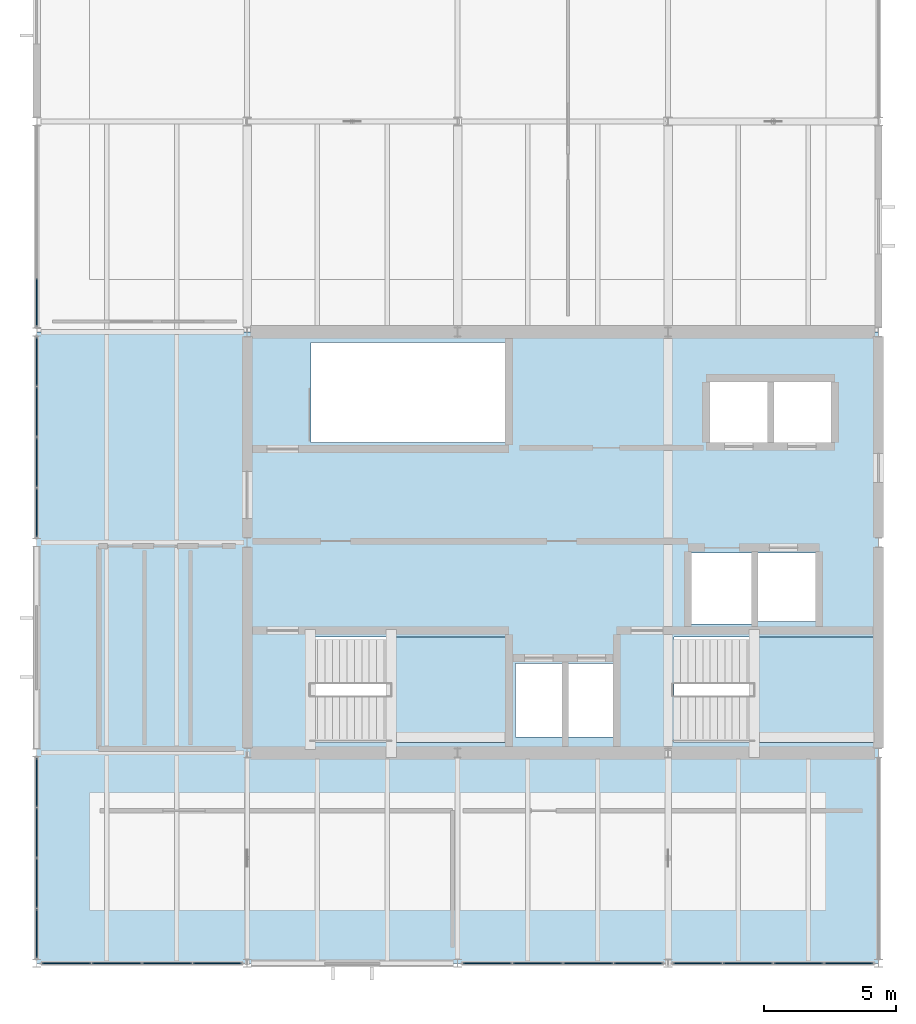
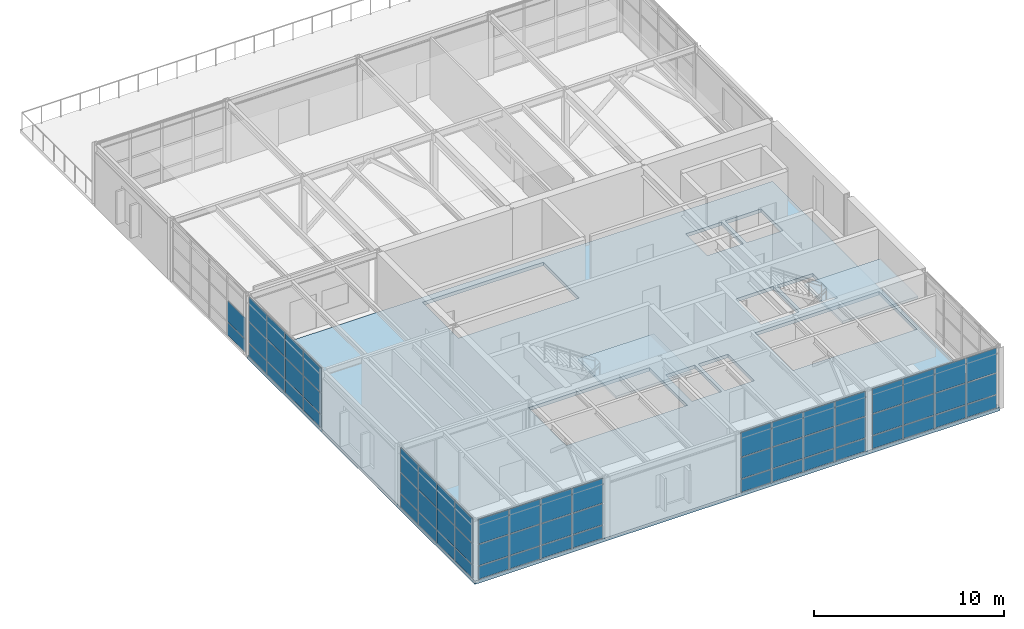
# One storey, part 11 of 15: 62 plates, 3 slabs, 8 elements without a shape of their own.
"""IFC4 building model written with IfcOpenShell, lengths in metres."""

from ifc_helpers import new_model, si_unit, direction, frame, origin, origin_2d, place, context, subcontext, project, spatial, polyline, rectangle, outline, extrude, material, layer, layer_set, type_object, element, aggregate, save


model = new_model("IFC4")

# Units and contexts
model_context = context("Model", 3, precision=1e-05, world=origin(), true_north=direction((0.0, 1.0)))
body_context = subcontext(model_context, "Body", "Model", "MODEL_VIEW")
ifc_project = project(units=[si_unit("LENGTHUNIT", "METRE"), si_unit("AREAUNIT", "SQUARE_METRE"), si_unit("VOLUMEUNIT", "CUBIC_METRE"), si_unit("PLANEANGLEUNIT", "RADIAN"), si_unit("MASSUNIT", "GRAM", prefix="KILO")], contexts=[model_context])

# Site, building, storey
site_placement = place(None, origin())
site = spatial("IfcSite", under=ifc_project, at=site_placement, CompositionType="ELEMENT")
building_placement = place(site_placement, origin())
building = spatial("IfcBuilding", under=site, at=building_placement, Name="Varnela Railside Interchange", CompositionType="ELEMENT")
storey_placement = place(building_placement, frame((0.0, 0.0, 32.199951171875)))
storey = spatial("IfcBuildingStorey", under=building, at=storey_placement, Name="L07", CompositionType="ELEMENT", Elevation=32.199951171875)

# Curtain wall, plates
ifc_material_1 = material(Name="Aluminium 6063-T6", Category="aluminium")
ifc_layer_1 = layer(ifc_material_1, 0.035888671875)
ifc_layer_set_1 = layer_set([ifc_layer_1], Name="Aluminium 6063-T6")
curtain_wall_type = type_object("IfcCurtainWallType", Name="Operations Wing Facade Curtain Wall CW-03", PredefinedType="USERDEFINED", material=ifc_layer_set_1)
curtain_wall_1_placement = place(storey_placement, origin())
curtain_wall_1 = element("IfcCurtainWall", 1, at=curtain_wall_1_placement, inside=storey, type_object=curtain_wall_type, Name="Curtain Wall CW-03 (L07) (CW-149)", ObjectType="CURTAIN WALL", PredefinedType="USERDEFINED")
ifc_material_2 = material(Name="Glass laminated double", Category="glass")
ifc_layer_2 = layer(ifc_material_2, 0.0400390625)
ifc_layer_set_2 = layer_set([ifc_layer_2], Name="Glass laminated double")
plate_type = type_object("IfcPlateType", Name="Acoustic Laminated Vision GL-03", PredefinedType="CURTAIN_PANEL", material=ifc_layer_set_2)
plate_1_placement = place(storey_placement, frame((34.86865234375, 46.0, 0.06005859375), z_axis=(0.0, 0.0, 1.0), x_axis=(-1.0, 0.0, 0.0)))
plate_1 = element("IfcPlate", 2, at=plate_1_placement, type_object=plate_type, Name="CW-03 panel 1.1", PredefinedType="CURTAIN_PANEL", context=body_context, shape_type="SweptSolid", body=[
    extrude(rectangle(XDim=1.83251953125, YDim=0.0400390625, at=origin_2d()), origin(), (0.0, 0.0, 1.0), 0.81005859375),
])
plate_2_placement = place(storey_placement, frame((34.86865234375, 46.0, 0.929931640625), z_axis=(0.0, 0.0, 1.0), x_axis=(-1.0, 0.0, 0.0)))
plate_2 = element("IfcPlate", 3, at=plate_2_placement, type_object=plate_type, Name="CW-03 panel 1.2", PredefinedType="CURTAIN_PANEL", context=body_context, shape_type="SweptSolid", body=[
    extrude(rectangle(XDim=1.83251953125, YDim=0.0400390625, at=origin_2d()), origin(), (0.0, 0.0, 1.0), 1.3369140625),
])
plate_3_placement = place(storey_placement, frame((34.86865234375, 46.0, 2.326904296875), z_axis=(0.0, 0.0, 1.0), x_axis=(-1.0, 0.0, 0.0)))
plate_3 = element("IfcPlate", 4, at=plate_3_placement, type_object=plate_type, Name="CW-03 panel 1.3", PredefinedType="CURTAIN_PANEL", context=body_context, shape_type="SweptSolid", body=[
    extrude(rectangle(XDim=1.83251953125, YDim=0.0400390625, at=origin_2d()), origin(), (0.0, 0.0, 1.0), 1.5732421875),
])
plate_4_placement = place(storey_placement, frame((32.961181640625, 46.0, 0.06005859375), z_axis=(0.0, 0.0, 1.0), x_axis=(-1.0, 0.0, 0.0)))
plate_4 = element("IfcPlate", 5, at=plate_4_placement, type_object=plate_type, Name="CW-03 panel 2.1", PredefinedType="CURTAIN_PANEL", context=body_context, shape_type="SweptSolid", body=[
    extrude(rectangle(XDim=1.862548828125, YDim=0.0400390625, at=origin_2d()), origin(), (0.0, 0.0, 1.0), 0.81005859375),
])
plate_5_placement = place(storey_placement, frame((32.961181640625, 46.0, 0.929931640625), z_axis=(0.0, 0.0, 1.0), x_axis=(-1.0, 0.0, 0.0)))
plate_5 = element("IfcPlate", 6, at=plate_5_placement, type_object=plate_type, Name="CW-03 panel 2.2", PredefinedType="CURTAIN_PANEL", context=body_context, shape_type="SweptSolid", body=[
    extrude(rectangle(XDim=1.862548828125, YDim=0.0400390625, at=origin_2d()), origin(), (0.0, 0.0, 1.0), 1.3369140625),
])
plate_6_placement = place(storey_placement, frame((32.961181640625, 46.0, 2.326904296875), z_axis=(0.0, 0.0, 1.0), x_axis=(-1.0, 0.0, 0.0)))
plate_6 = element("IfcPlate", 7, at=plate_6_placement, type_object=plate_type, Name="CW-03 panel 2.3", PredefinedType="CURTAIN_PANEL", context=body_context, shape_type="SweptSolid", body=[
    extrude(rectangle(XDim=1.862548828125, YDim=0.0400390625, at=origin_2d()), origin(), (0.0, 0.0, 1.0), 1.5732421875),
])
plate_7_placement = place(storey_placement, frame((31.038818359375, 46.0, 0.06005859375), z_axis=(0.0, 0.0, 1.0), x_axis=(-1.0, 0.0, 0.0)))
plate_7 = element("IfcPlate", 8, at=plate_7_placement, type_object=plate_type, Name="CW-03 panel 3.1", PredefinedType="CURTAIN_PANEL", context=body_context, shape_type="SweptSolid", body=[
    extrude(rectangle(XDim=1.862548828125, YDim=0.0400390625, at=origin_2d()), origin(), (0.0, 0.0, 1.0), 0.81005859375),
])
plate_8_placement = place(storey_placement, frame((31.038818359375, 46.0, 0.929931640625), z_axis=(0.0, 0.0, 1.0), x_axis=(-1.0, 0.0, 0.0)))
plate_8 = element("IfcPlate", 9, at=plate_8_placement, type_object=plate_type, Name="CW-03 panel 3.2", PredefinedType="CURTAIN_PANEL", context=body_context, shape_type="SweptSolid", body=[
    extrude(rectangle(XDim=1.862548828125, YDim=0.0400390625, at=origin_2d()), origin(), (0.0, 0.0, 1.0), 1.3369140625),
])
plate_9_placement = place(storey_placement, frame((31.038818359375, 46.0, 2.326904296875), z_axis=(0.0, 0.0, 1.0), x_axis=(-1.0, 0.0, 0.0)))
plate_9 = element("IfcPlate", 10, at=plate_9_placement, type_object=plate_type, Name="CW-03 panel 3.3", PredefinedType="CURTAIN_PANEL", context=body_context, shape_type="SweptSolid", body=[
    extrude(rectangle(XDim=1.862548828125, YDim=0.0400390625, at=origin_2d()), origin(), (0.0, 0.0, 1.0), 1.5732421875),
])
plate_10_placement = place(storey_placement, frame((29.13134765625, 46.0, 0.06005859375), z_axis=(0.0, 0.0, 1.0), x_axis=(-1.0, 0.0, 0.0)))
plate_10 = element("IfcPlate", 11, at=plate_10_placement, type_object=plate_type, Name="CW-03 panel 4.1", PredefinedType="CURTAIN_PANEL", context=body_context, shape_type="SweptSolid", body=[
    extrude(rectangle(XDim=1.83251953125, YDim=0.0400390625, at=origin_2d()), origin(), (0.0, 0.0, 1.0), 0.81005859375),
])
plate_11_placement = place(storey_placement, frame((29.13134765625, 46.0, 0.929931640625), z_axis=(0.0, 0.0, 1.0), x_axis=(-1.0, 0.0, 0.0)))
plate_11 = element("IfcPlate", 12, at=plate_11_placement, type_object=plate_type, Name="CW-03 panel 4.2", PredefinedType="CURTAIN_PANEL", context=body_context, shape_type="SweptSolid", body=[
    extrude(rectangle(XDim=1.83251953125, YDim=0.0400390625, at=origin_2d()), origin(), (0.0, 0.0, 1.0), 1.3369140625),
])
plate_12_placement = place(storey_placement, frame((29.13134765625, 46.0, 2.326904296875), z_axis=(0.0, 0.0, 1.0), x_axis=(-1.0, 0.0, 0.0)))
plate_12 = element("IfcPlate", 13, at=plate_12_placement, type_object=plate_type, Name="CW-03 panel 4.3", PredefinedType="CURTAIN_PANEL", context=body_context, shape_type="SweptSolid", body=[
    extrude(rectangle(XDim=1.83251953125, YDim=0.0400390625, at=origin_2d()), origin(), (0.0, 0.0, 1.0), 1.5732421875),
])
aggregate(curtain_wall_1, [plate_1, plate_2, plate_3, plate_4, plate_5, plate_6, plate_7, plate_8, plate_9, plate_10, plate_11, plate_12])

curtain_wall_2_placement = place(storey_placement, origin())
curtain_wall_2 = element("IfcCurtainWall", 14, at=curtain_wall_2_placement, inside=storey, type_object=curtain_wall_type, Name="Curtain Wall CW-03 (L07) (CW-154)", ObjectType="CURTAIN WALL", PredefinedType="USERDEFINED")
plate_13_placement = place(storey_placement, frame((26.86865234375, 46.0, 0.06005859375), z_axis=(0.0, 0.0, 1.0), x_axis=(-1.0, 0.0, 0.0)))
plate_13 = element("IfcPlate", 15, at=plate_13_placement, type_object=plate_type, Name="CW-03 panel 1.1", PredefinedType="CURTAIN_PANEL", context=body_context, shape_type="SweptSolid", body=[
    extrude(rectangle(XDim=1.83251953125, YDim=0.0400390625, at=origin_2d()), origin(), (0.0, 0.0, 1.0), 0.81005859375),
])
plate_14_placement = place(storey_placement, frame((26.86865234375, 46.0, 0.929931640625), z_axis=(0.0, 0.0, 1.0), x_axis=(-1.0, 0.0, 0.0)))
plate_14 = element("IfcPlate", 16, at=plate_14_placement, type_object=plate_type, Name="CW-03 panel 1.2", PredefinedType="CURTAIN_PANEL", context=body_context, shape_type="SweptSolid", body=[
    extrude(rectangle(XDim=1.83251953125, YDim=0.0400390625, at=origin_2d()), origin(), (0.0, 0.0, 1.0), 1.3369140625),
])
plate_15_placement = place(storey_placement, frame((26.86865234375, 46.0, 2.326904296875), z_axis=(0.0, 0.0, 1.0), x_axis=(-1.0, 0.0, 0.0)))
plate_15 = element("IfcPlate", 17, at=plate_15_placement, type_object=plate_type, Name="CW-03 panel 1.3", PredefinedType="CURTAIN_PANEL", context=body_context, shape_type="SweptSolid", body=[
    extrude(rectangle(XDim=1.83251953125, YDim=0.0400390625, at=origin_2d()), origin(), (0.0, 0.0, 1.0), 1.5732421875),
])
plate_16_placement = place(storey_placement, frame((24.961181640625, 46.0, 0.06005859375), z_axis=(0.0, 0.0, 1.0), x_axis=(-1.0, 0.0, 0.0)))
plate_16 = element("IfcPlate", 18, at=plate_16_placement, type_object=plate_type, Name="CW-03 panel 2.1", PredefinedType="CURTAIN_PANEL", context=body_context, shape_type="SweptSolid", body=[
    extrude(rectangle(XDim=1.862548828125, YDim=0.0400390625, at=origin_2d()), origin(), (0.0, 0.0, 1.0), 0.81005859375),
])
plate_17_placement = place(storey_placement, frame((24.961181640625, 46.0, 0.929931640625), z_axis=(0.0, 0.0, 1.0), x_axis=(-1.0, 0.0, 0.0)))
plate_17 = element("IfcPlate", 19, at=plate_17_placement, type_object=plate_type, Name="CW-03 panel 2.2", PredefinedType="CURTAIN_PANEL", context=body_context, shape_type="SweptSolid", body=[
    extrude(rectangle(XDim=1.862548828125, YDim=0.0400390625, at=origin_2d()), origin(), (0.0, 0.0, 1.0), 1.3369140625),
])
plate_18_placement = place(storey_placement, frame((24.961181640625, 46.0, 2.326904296875), z_axis=(0.0, 0.0, 1.0), x_axis=(-1.0, 0.0, 0.0)))
plate_18 = element("IfcPlate", 20, at=plate_18_placement, type_object=plate_type, Name="CW-03 panel 2.3", PredefinedType="CURTAIN_PANEL", context=body_context, shape_type="SweptSolid", body=[
    extrude(rectangle(XDim=1.862548828125, YDim=0.0400390625, at=origin_2d()), origin(), (0.0, 0.0, 1.0), 1.5732421875),
])
plate_19_placement = place(storey_placement, frame((23.038818359375, 46.0, 0.06005859375), z_axis=(0.0, 0.0, 1.0), x_axis=(-1.0, 0.0, 0.0)))
plate_19 = element("IfcPlate", 21, at=plate_19_placement, type_object=plate_type, Name="CW-03 panel 3.1", PredefinedType="CURTAIN_PANEL", context=body_context, shape_type="SweptSolid", body=[
    extrude(rectangle(XDim=1.862548828125, YDim=0.0400390625, at=origin_2d()), origin(), (0.0, 0.0, 1.0), 0.81005859375),
])
plate_20_placement = place(storey_placement, frame((23.038818359375, 46.0, 0.929931640625), z_axis=(0.0, 0.0, 1.0), x_axis=(-1.0, 0.0, 0.0)))
plate_20 = element("IfcPlate", 22, at=plate_20_placement, type_object=plate_type, Name="CW-03 panel 3.2", PredefinedType="CURTAIN_PANEL", context=body_context, shape_type="SweptSolid", body=[
    extrude(rectangle(XDim=1.862548828125, YDim=0.0400390625, at=origin_2d()), origin(), (0.0, 0.0, 1.0), 1.3369140625),
])
plate_21_placement = place(storey_placement, frame((23.038818359375, 46.0, 2.326904296875), z_axis=(0.0, 0.0, 1.0), x_axis=(-1.0, 0.0, 0.0)))
plate_21 = element("IfcPlate", 23, at=plate_21_placement, type_object=plate_type, Name="CW-03 panel 3.3", PredefinedType="CURTAIN_PANEL", context=body_context, shape_type="SweptSolid", body=[
    extrude(rectangle(XDim=1.862548828125, YDim=0.0400390625, at=origin_2d()), origin(), (0.0, 0.0, 1.0), 1.5732421875),
])
plate_22_placement = place(storey_placement, frame((21.13134765625, 46.0, 0.06005859375), z_axis=(0.0, 0.0, 1.0), x_axis=(-1.0, 0.0, 0.0)))
plate_22 = element("IfcPlate", 24, at=plate_22_placement, type_object=plate_type, Name="CW-03 panel 4.1", PredefinedType="CURTAIN_PANEL", context=body_context, shape_type="SweptSolid", body=[
    extrude(rectangle(XDim=1.83251953125, YDim=0.0400390625, at=origin_2d()), origin(), (0.0, 0.0, 1.0), 0.81005859375),
])
plate_23_placement = place(storey_placement, frame((21.13134765625, 46.0, 0.929931640625), z_axis=(0.0, 0.0, 1.0), x_axis=(-1.0, 0.0, 0.0)))
plate_23 = element("IfcPlate", 25, at=plate_23_placement, type_object=plate_type, Name="CW-03 panel 4.2", PredefinedType="CURTAIN_PANEL", context=body_context, shape_type="SweptSolid", body=[
    extrude(rectangle(XDim=1.83251953125, YDim=0.0400390625, at=origin_2d()), origin(), (0.0, 0.0, 1.0), 1.3369140625),
])
plate_24_placement = place(storey_placement, frame((21.13134765625, 46.0, 2.326904296875), z_axis=(0.0, 0.0, 1.0), x_axis=(-1.0, 0.0, 0.0)))
plate_24 = element("IfcPlate", 26, at=plate_24_placement, type_object=plate_type, Name="CW-03 panel 4.3", PredefinedType="CURTAIN_PANEL", context=body_context, shape_type="SweptSolid", body=[
    extrude(rectangle(XDim=1.83251953125, YDim=0.0400390625, at=origin_2d()), origin(), (0.0, 0.0, 1.0), 1.5732421875),
])
aggregate(curtain_wall_2, [plate_13, plate_14, plate_15, plate_16, plate_17, plate_18, plate_19, plate_20, plate_21, plate_22, plate_23, plate_24])

curtain_wall_3_placement = place(storey_placement, origin())
curtain_wall_3 = element("IfcCurtainWall", 27, at=curtain_wall_3_placement, inside=storey, type_object=curtain_wall_type, Name="Curtain Wall CW-03 (L07) (CW-155)", ObjectType="CURTAIN WALL", PredefinedType="USERDEFINED")
plate_25_placement = place(storey_placement, frame((10.86865234375, 46.0, 0.06005859375), z_axis=(0.0, 0.0, 1.0), x_axis=(-1.0, 0.0, 0.0)))
plate_25 = element("IfcPlate", 28, at=plate_25_placement, type_object=plate_type, Name="CW-03 panel 1.1", PredefinedType="CURTAIN_PANEL", context=body_context, shape_type="SweptSolid", body=[
    extrude(rectangle(XDim=1.83251953125, YDim=0.0400390625, at=origin_2d()), origin(), (0.0, 0.0, 1.0), 0.81005859375),
])
plate_26_placement = place(storey_placement, frame((10.86865234375, 46.0, 0.929931640625), z_axis=(0.0, 0.0, 1.0), x_axis=(-1.0, 0.0, 0.0)))
plate_26 = element("IfcPlate", 29, at=plate_26_placement, type_object=plate_type, Name="CW-03 panel 1.2", PredefinedType="CURTAIN_PANEL", context=body_context, shape_type="SweptSolid", body=[
    extrude(rectangle(XDim=1.83251953125, YDim=0.0400390625, at=origin_2d()), origin(), (0.0, 0.0, 1.0), 1.3369140625),
])
plate_27_placement = place(storey_placement, frame((10.86865234375, 46.0, 2.326904296875), z_axis=(0.0, 0.0, 1.0), x_axis=(-1.0, 0.0, 0.0)))
plate_27 = element("IfcPlate", 30, at=plate_27_placement, type_object=plate_type, Name="CW-03 panel 1.3", PredefinedType="CURTAIN_PANEL", context=body_context, shape_type="SweptSolid", body=[
    extrude(rectangle(XDim=1.83251953125, YDim=0.0400390625, at=origin_2d()), origin(), (0.0, 0.0, 1.0), 1.5732421875),
])
plate_28_placement = place(storey_placement, frame((8.961181640625, 46.0, 0.06005859375), z_axis=(0.0, 0.0, 1.0), x_axis=(-1.0, 0.0, 0.0)))
plate_28 = element("IfcPlate", 31, at=plate_28_placement, type_object=plate_type, Name="CW-03 panel 2.1", PredefinedType="CURTAIN_PANEL", context=body_context, shape_type="SweptSolid", body=[
    extrude(rectangle(XDim=1.862548828125, YDim=0.0400390625, at=origin_2d()), origin(), (0.0, 0.0, 1.0), 0.81005859375),
])
plate_29_placement = place(storey_placement, frame((8.961181640625, 46.0, 0.929931640625), z_axis=(0.0, 0.0, 1.0), x_axis=(-1.0, 0.0, 0.0)))
plate_29 = element("IfcPlate", 32, at=plate_29_placement, type_object=plate_type, Name="CW-03 panel 2.2", PredefinedType="CURTAIN_PANEL", context=body_context, shape_type="SweptSolid", body=[
    extrude(rectangle(XDim=1.862548828125, YDim=0.0400390625, at=origin_2d()), origin(), (0.0, 0.0, 1.0), 1.3369140625),
])
plate_30_placement = place(storey_placement, frame((8.961181640625, 46.0, 2.326904296875), z_axis=(0.0, 0.0, 1.0), x_axis=(-1.0, 0.0, 0.0)))
plate_30 = element("IfcPlate", 33, at=plate_30_placement, type_object=plate_type, Name="CW-03 panel 2.3", PredefinedType="CURTAIN_PANEL", context=body_context, shape_type="SweptSolid", body=[
    extrude(rectangle(XDim=1.862548828125, YDim=0.0400390625, at=origin_2d()), origin(), (0.0, 0.0, 1.0), 1.5732421875),
])
plate_31_placement = place(storey_placement, frame((7.038818359375, 46.0, 0.06005859375), z_axis=(0.0, 0.0, 1.0), x_axis=(-1.0, 0.0, 0.0)))
plate_31 = element("IfcPlate", 34, at=plate_31_placement, type_object=plate_type, Name="CW-03 panel 3.1", PredefinedType="CURTAIN_PANEL", context=body_context, shape_type="SweptSolid", body=[
    extrude(rectangle(XDim=1.862548828125, YDim=0.0400390625, at=origin_2d()), origin(), (0.0, 0.0, 1.0), 0.81005859375),
])
plate_32_placement = place(storey_placement, frame((7.038818359375, 46.0, 0.929931640625), z_axis=(0.0, 0.0, 1.0), x_axis=(-1.0, 0.0, 0.0)))
plate_32 = element("IfcPlate", 35, at=plate_32_placement, type_object=plate_type, Name="CW-03 panel 3.2", PredefinedType="CURTAIN_PANEL", context=body_context, shape_type="SweptSolid", body=[
    extrude(rectangle(XDim=1.862548828125, YDim=0.0400390625, at=origin_2d()), origin(), (0.0, 0.0, 1.0), 1.3369140625),
])
plate_33_placement = place(storey_placement, frame((7.038818359375, 46.0, 2.326904296875), z_axis=(0.0, 0.0, 1.0), x_axis=(-1.0, 0.0, 0.0)))
plate_33 = element("IfcPlate", 36, at=plate_33_placement, type_object=plate_type, Name="CW-03 panel 3.3", PredefinedType="CURTAIN_PANEL", context=body_context, shape_type="SweptSolid", body=[
    extrude(rectangle(XDim=1.862548828125, YDim=0.0400390625, at=origin_2d()), origin(), (0.0, 0.0, 1.0), 1.5732421875),
])
plate_34_placement = place(storey_placement, frame((5.13134765625, 46.0, 0.06005859375), z_axis=(0.0, 0.0, 1.0), x_axis=(-1.0, 0.0, 0.0)))
plate_34 = element("IfcPlate", 37, at=plate_34_placement, type_object=plate_type, Name="CW-03 panel 4.1", PredefinedType="CURTAIN_PANEL", context=body_context, shape_type="SweptSolid", body=[
    extrude(rectangle(XDim=1.83251953125, YDim=0.0400390625, at=origin_2d()), origin(), (0.0, 0.0, 1.0), 0.81005859375),
])
plate_35_placement = place(storey_placement, frame((5.13134765625, 46.0, 0.929931640625), z_axis=(0.0, 0.0, 1.0), x_axis=(-1.0, 0.0, 0.0)))
plate_35 = element("IfcPlate", 38, at=plate_35_placement, type_object=plate_type, Name="CW-03 panel 4.2", PredefinedType="CURTAIN_PANEL", context=body_context, shape_type="SweptSolid", body=[
    extrude(rectangle(XDim=1.83251953125, YDim=0.0400390625, at=origin_2d()), origin(), (0.0, 0.0, 1.0), 1.3369140625),
])
plate_36_placement = place(storey_placement, frame((5.13134765625, 46.0, 2.326904296875), z_axis=(0.0, 0.0, 1.0), x_axis=(-1.0, 0.0, 0.0)))
plate_36 = element("IfcPlate", 39, at=plate_36_placement, type_object=plate_type, Name="CW-03 panel 4.3", PredefinedType="CURTAIN_PANEL", context=body_context, shape_type="SweptSolid", body=[
    extrude(rectangle(XDim=1.83251953125, YDim=0.0400390625, at=origin_2d()), origin(), (0.0, 0.0, 1.0), 1.5732421875),
])
aggregate(curtain_wall_3, [plate_25, plate_26, plate_27, plate_28, plate_29, plate_30, plate_31, plate_32, plate_33, plate_34, plate_35, plate_36])

curtain_wall_4_placement = place(storey_placement, origin())
curtain_wall_4 = element("IfcCurtainWall", 40, at=curtain_wall_4_placement, inside=storey, type_object=curtain_wall_type, Name="Curtain Wall CW-03 (L07) (CW-156)", ObjectType="CURTAIN WALL", PredefinedType="USERDEFINED")
plate_37_placement = place(storey_placement, frame((4.0, 47.130615234375, 0.06005859375), z_axis=(0.0, 0.0, 1.0), x_axis=(0.0, 1.0, 0.0)))
plate_37 = element("IfcPlate", 41, at=plate_37_placement, type_object=plate_type, Name="CW-03 panel 1.1", PredefinedType="CURTAIN_PANEL", context=body_context, shape_type="SweptSolid", body=[
    extrude(rectangle(XDim=1.8330078125, YDim=0.0400390625, at=origin_2d()), origin(), (0.0, 0.0, 1.0), 0.81005859375),
])
plate_38_placement = place(storey_placement, frame((4.0, 47.130615234375, 0.929931640625), z_axis=(0.0, 0.0, 1.0), x_axis=(0.0, 1.0, 0.0)))
plate_38 = element("IfcPlate", 42, at=plate_38_placement, type_object=plate_type, Name="CW-03 panel 1.2", PredefinedType="CURTAIN_PANEL", context=body_context, shape_type="SweptSolid", body=[
    extrude(rectangle(XDim=1.8330078125, YDim=0.0400390625, at=origin_2d()), origin(), (0.0, 0.0, 1.0), 1.3369140625),
])
plate_39_placement = place(storey_placement, frame((4.0, 47.130615234375, 2.326904296875), z_axis=(0.0, 0.0, 1.0), x_axis=(0.0, 1.0, 0.0)))
plate_39 = element("IfcPlate", 43, at=plate_39_placement, type_object=plate_type, Name="CW-03 panel 1.3", PredefinedType="CURTAIN_PANEL", context=body_context, shape_type="SweptSolid", body=[
    extrude(rectangle(XDim=1.8330078125, YDim=0.0400390625, at=origin_2d()), origin(), (0.0, 0.0, 1.0), 1.5732421875),
])
plate_40_placement = place(storey_placement, frame((4.0, 49.03857421875, 0.06005859375), z_axis=(0.0, 0.0, 1.0), x_axis=(0.0, 1.0, 0.0)))
plate_40 = element("IfcPlate", 44, at=plate_40_placement, type_object=plate_type, Name="CW-03 panel 2.1", PredefinedType="CURTAIN_PANEL", context=body_context, shape_type="SweptSolid", body=[
    extrude(rectangle(XDim=1.863037109375, YDim=0.0400390625, at=origin_2d()), origin(), (0.0, 0.0, 1.0), 0.81005859375),
])
plate_41_placement = place(storey_placement, frame((4.0, 49.03857421875, 0.929931640625), z_axis=(0.0, 0.0, 1.0), x_axis=(0.0, 1.0, 0.0)))
plate_41 = element("IfcPlate", 45, at=plate_41_placement, type_object=plate_type, Name="CW-03 panel 2.2", PredefinedType="CURTAIN_PANEL", context=body_context, shape_type="SweptSolid", body=[
    extrude(rectangle(XDim=1.863037109375, YDim=0.0400390625, at=origin_2d()), origin(), (0.0, 0.0, 1.0), 1.3369140625),
])
plate_42_placement = place(storey_placement, frame((4.0, 49.03857421875, 2.326904296875), z_axis=(0.0, 0.0, 1.0), x_axis=(0.0, 1.0, 0.0)))
plate_42 = element("IfcPlate", 46, at=plate_42_placement, type_object=plate_type, Name="CW-03 panel 2.3", PredefinedType="CURTAIN_PANEL", context=body_context, shape_type="SweptSolid", body=[
    extrude(rectangle(XDim=1.863037109375, YDim=0.0400390625, at=origin_2d()), origin(), (0.0, 0.0, 1.0), 1.5732421875),
])
plate_43_placement = place(storey_placement, frame((4.0, 50.96142578125, 0.06005859375), z_axis=(0.0, 0.0, 1.0), x_axis=(0.0, 1.0, 0.0)))
plate_43 = element("IfcPlate", 47, at=plate_43_placement, type_object=plate_type, Name="CW-03 panel 3.1", PredefinedType="CURTAIN_PANEL", context=body_context, shape_type="SweptSolid", body=[
    extrude(rectangle(XDim=1.863037109375, YDim=0.0400390625, at=origin_2d()), origin(), (0.0, 0.0, 1.0), 0.81005859375),
])
plate_44_placement = place(storey_placement, frame((4.0, 50.96142578125, 0.929931640625), z_axis=(0.0, 0.0, 1.0), x_axis=(0.0, 1.0, 0.0)))
plate_44 = element("IfcPlate", 48, at=plate_44_placement, type_object=plate_type, Name="CW-03 panel 3.2", PredefinedType="CURTAIN_PANEL", context=body_context, shape_type="SweptSolid", body=[
    extrude(rectangle(XDim=1.863037109375, YDim=0.0400390625, at=origin_2d()), origin(), (0.0, 0.0, 1.0), 1.3369140625),
])
plate_45_placement = place(storey_placement, frame((4.0, 50.96142578125, 2.326904296875), z_axis=(0.0, 0.0, 1.0), x_axis=(0.0, 1.0, 0.0)))
plate_45 = element("IfcPlate", 49, at=plate_45_placement, type_object=plate_type, Name="CW-03 panel 3.3", PredefinedType="CURTAIN_PANEL", context=body_context, shape_type="SweptSolid", body=[
    extrude(rectangle(XDim=1.863037109375, YDim=0.0400390625, at=origin_2d()), origin(), (0.0, 0.0, 1.0), 1.5732421875),
])
plate_46_placement = place(storey_placement, frame((4.0, 52.869384765625, 0.06005859375), z_axis=(0.0, 0.0, 1.0), x_axis=(0.0, 1.0, 0.0)))
plate_46 = element("IfcPlate", 50, at=plate_46_placement, type_object=plate_type, Name="CW-03 panel 4.1", PredefinedType="CURTAIN_PANEL", context=body_context, shape_type="SweptSolid", body=[
    extrude(rectangle(XDim=1.8330078125, YDim=0.0400390625, at=origin_2d()), origin(), (0.0, 0.0, 1.0), 0.81005859375),
])
plate_47_placement = place(storey_placement, frame((4.0, 52.869384765625, 0.929931640625), z_axis=(0.0, 0.0, 1.0), x_axis=(0.0, 1.0, 0.0)))
plate_47 = element("IfcPlate", 51, at=plate_47_placement, type_object=plate_type, Name="CW-03 panel 4.2", PredefinedType="CURTAIN_PANEL", context=body_context, shape_type="SweptSolid", body=[
    extrude(rectangle(XDim=1.8330078125, YDim=0.0400390625, at=origin_2d()), origin(), (0.0, 0.0, 1.0), 1.3369140625),
])
plate_48_placement = place(storey_placement, frame((4.0, 52.869384765625, 2.326904296875), z_axis=(0.0, 0.0, 1.0), x_axis=(0.0, 1.0, 0.0)))
plate_48 = element("IfcPlate", 52, at=plate_48_placement, type_object=plate_type, Name="CW-03 panel 4.3", PredefinedType="CURTAIN_PANEL", context=body_context, shape_type="SweptSolid", body=[
    extrude(rectangle(XDim=1.8330078125, YDim=0.0400390625, at=origin_2d()), origin(), (0.0, 0.0, 1.0), 1.5732421875),
])
aggregate(curtain_wall_4, [plate_37, plate_38, plate_39, plate_40, plate_41, plate_42, plate_43, plate_44, plate_45, plate_46, plate_47, plate_48])

curtain_wall_5_placement = place(storey_placement, origin())
curtain_wall_5 = element("IfcCurtainWall", 53, at=curtain_wall_5_placement, inside=storey, type_object=curtain_wall_type, Name="Curtain Wall CW-03 (L07) (CW-157)", ObjectType="CURTAIN WALL", PredefinedType="USERDEFINED")
plate_49_placement = place(storey_placement, frame((4.0, 63.130615234375, 0.06005859375), z_axis=(0.0, 0.0, 1.0), x_axis=(0.0, 1.0, 0.0)))
plate_49 = element("IfcPlate", 54, at=plate_49_placement, type_object=plate_type, Name="CW-03 panel 1.1", PredefinedType="CURTAIN_PANEL", context=body_context, shape_type="SweptSolid", body=[
    extrude(rectangle(XDim=1.8330078125, YDim=0.0400390625, at=origin_2d()), origin(), (0.0, 0.0, 1.0), 0.81005859375),
])
plate_50_placement = place(storey_placement, frame((4.0, 63.130615234375, 0.929931640625), z_axis=(0.0, 0.0, 1.0), x_axis=(0.0, 1.0, 0.0)))
plate_50 = element("IfcPlate", 55, at=plate_50_placement, type_object=plate_type, Name="CW-03 panel 1.2", PredefinedType="CURTAIN_PANEL", context=body_context, shape_type="SweptSolid", body=[
    extrude(rectangle(XDim=1.8330078125, YDim=0.0400390625, at=origin_2d()), origin(), (0.0, 0.0, 1.0), 1.3369140625),
])
plate_51_placement = place(storey_placement, frame((4.0, 63.130615234375, 2.326904296875), z_axis=(0.0, 0.0, 1.0), x_axis=(0.0, 1.0, 0.0)))
plate_51 = element("IfcPlate", 56, at=plate_51_placement, type_object=plate_type, Name="CW-03 panel 1.3", PredefinedType="CURTAIN_PANEL", context=body_context, shape_type="SweptSolid", body=[
    extrude(rectangle(XDim=1.8330078125, YDim=0.0400390625, at=origin_2d()), origin(), (0.0, 0.0, 1.0), 1.5732421875),
])
plate_52_placement = place(storey_placement, frame((4.0, 65.03857421875, 0.06005859375), z_axis=(0.0, 0.0, 1.0), x_axis=(0.0, 1.0, 0.0)))
plate_52 = element("IfcPlate", 57, at=plate_52_placement, type_object=plate_type, Name="CW-03 panel 2.1", PredefinedType="CURTAIN_PANEL", context=body_context, shape_type="SweptSolid", body=[
    extrude(rectangle(XDim=1.863037109375, YDim=0.0400390625, at=origin_2d()), origin(), (0.0, 0.0, 1.0), 0.81005859375),
])
plate_53_placement = place(storey_placement, frame((4.0, 65.03857421875, 0.929931640625), z_axis=(0.0, 0.0, 1.0), x_axis=(0.0, 1.0, 0.0)))
plate_53 = element("IfcPlate", 58, at=plate_53_placement, type_object=plate_type, Name="CW-03 panel 2.2", PredefinedType="CURTAIN_PANEL", context=body_context, shape_type="SweptSolid", body=[
    extrude(rectangle(XDim=1.863037109375, YDim=0.0400390625, at=origin_2d()), origin(), (0.0, 0.0, 1.0), 1.3369140625),
])
plate_54_placement = place(storey_placement, frame((4.0, 65.03857421875, 2.326904296875), z_axis=(0.0, 0.0, 1.0), x_axis=(0.0, 1.0, 0.0)))
plate_54 = element("IfcPlate", 59, at=plate_54_placement, type_object=plate_type, Name="CW-03 panel 2.3", PredefinedType="CURTAIN_PANEL", context=body_context, shape_type="SweptSolid", body=[
    extrude(rectangle(XDim=1.863037109375, YDim=0.0400390625, at=origin_2d()), origin(), (0.0, 0.0, 1.0), 1.5732421875),
])
plate_55_placement = place(storey_placement, frame((4.0, 66.96142578125, 0.06005859375), z_axis=(0.0, 0.0, 1.0), x_axis=(0.0, 1.0, 0.0)))
plate_55 = element("IfcPlate", 60, at=plate_55_placement, type_object=plate_type, Name="CW-03 panel 3.1", PredefinedType="CURTAIN_PANEL", context=body_context, shape_type="SweptSolid", body=[
    extrude(rectangle(XDim=1.863037109375, YDim=0.0400390625, at=origin_2d()), origin(), (0.0, 0.0, 1.0), 0.81005859375),
])
plate_56_placement = place(storey_placement, frame((4.0, 66.96142578125, 0.929931640625), z_axis=(0.0, 0.0, 1.0), x_axis=(0.0, 1.0, 0.0)))
plate_56 = element("IfcPlate", 61, at=plate_56_placement, type_object=plate_type, Name="CW-03 panel 3.2", PredefinedType="CURTAIN_PANEL", context=body_context, shape_type="SweptSolid", body=[
    extrude(rectangle(XDim=1.863037109375, YDim=0.0400390625, at=origin_2d()), origin(), (0.0, 0.0, 1.0), 1.3369140625),
])
plate_57_placement = place(storey_placement, frame((4.0, 66.96142578125, 2.326904296875), z_axis=(0.0, 0.0, 1.0), x_axis=(0.0, 1.0, 0.0)))
plate_57 = element("IfcPlate", 62, at=plate_57_placement, type_object=plate_type, Name="CW-03 panel 3.3", PredefinedType="CURTAIN_PANEL", context=body_context, shape_type="SweptSolid", body=[
    extrude(rectangle(XDim=1.863037109375, YDim=0.0400390625, at=origin_2d()), origin(), (0.0, 0.0, 1.0), 1.5732421875),
])
plate_58_placement = place(storey_placement, frame((4.0, 68.869384765625, 0.06005859375), z_axis=(0.0, 0.0, 1.0), x_axis=(0.0, 1.0, 0.0)))
plate_58 = element("IfcPlate", 63, at=plate_58_placement, type_object=plate_type, Name="CW-03 panel 4.1", PredefinedType="CURTAIN_PANEL", context=body_context, shape_type="SweptSolid", body=[
    extrude(rectangle(XDim=1.8330078125, YDim=0.0400390625, at=origin_2d()), origin(), (0.0, 0.0, 1.0), 0.81005859375),
])
plate_59_placement = place(storey_placement, frame((4.0, 68.869384765625, 0.929931640625), z_axis=(0.0, 0.0, 1.0), x_axis=(0.0, 1.0, 0.0)))
plate_59 = element("IfcPlate", 64, at=plate_59_placement, type_object=plate_type, Name="CW-03 panel 4.2", PredefinedType="CURTAIN_PANEL", context=body_context, shape_type="SweptSolid", body=[
    extrude(rectangle(XDim=1.8330078125, YDim=0.0400390625, at=origin_2d()), origin(), (0.0, 0.0, 1.0), 1.3369140625),
])
plate_60_placement = place(storey_placement, frame((4.0, 68.869384765625, 2.326904296875), z_axis=(0.0, 0.0, 1.0), x_axis=(0.0, 1.0, 0.0)))
plate_60 = element("IfcPlate", 65, at=plate_60_placement, type_object=plate_type, Name="CW-03 panel 4.3", PredefinedType="CURTAIN_PANEL", context=body_context, shape_type="SweptSolid", body=[
    extrude(rectangle(XDim=1.8330078125, YDim=0.0400390625, at=origin_2d()), origin(), (0.0, 0.0, 1.0), 1.5732421875),
])
aggregate(curtain_wall_5, [plate_49, plate_50, plate_51, plate_52, plate_53, plate_54, plate_55, plate_56, plate_57, plate_58, plate_59, plate_60])

curtain_wall_6_placement = place(storey_placement, origin())
curtain_wall_6 = element("IfcCurtainWall", 66, at=curtain_wall_6_placement, inside=storey, type_object=curtain_wall_type, Name="Curtain Wall CW-03 (L07) (CW-158)", ObjectType="CURTAIN WALL", PredefinedType="USERDEFINED")
plate_61_placement = place(storey_placement, frame((4.0, 71.130615234375, 0.06005859375), z_axis=(0.0, 0.0, 1.0), x_axis=(0.0, 1.0, 0.0)))
plate_61 = element("IfcPlate", 67, at=plate_61_placement, type_object=plate_type, Name="CW-03 panel 1.1", PredefinedType="CURTAIN_PANEL", context=body_context, shape_type="SweptSolid", body=[
    extrude(rectangle(XDim=1.8330078125, YDim=0.0400390625, at=origin_2d()), origin(), (0.0, 0.0, 1.0), 0.81005859375),
])
plate_62_placement = place(storey_placement, frame((4.0, 71.130615234375, 0.929931640625), z_axis=(0.0, 0.0, 1.0), x_axis=(0.0, 1.0, 0.0)))
plate_62 = element("IfcPlate", 68, at=plate_62_placement, type_object=plate_type, Name="CW-03 panel 1.2", PredefinedType="CURTAIN_PANEL", context=body_context, shape_type="SweptSolid", body=[
    extrude(rectangle(XDim=1.8330078125, YDim=0.0400390625, at=origin_2d()), origin(), (0.0, 0.0, 1.0), 1.3369140625),
])
aggregate(curtain_wall_6, [plate_61, plate_62])

# Slab
ifc_material_3 = material(Name="Concrete C40", Category="concrete")
ifc_layer_3 = layer(ifc_material_3, 0.219970703125)
ifc_layer_set_3 = layer_set([ifc_layer_3], Name="Concrete C40")
slab_type_1 = type_object("IfcSlabType", Name="Operations Control Centre Slab SL-220", PredefinedType="FLOOR", material=ifc_layer_set_3)
slab_1_placement = place(storey_placement, frame((0.0, 0.0, -0.219970703125)))
element("IfcSlab", 69, at=slab_1_placement, inside=storey, type_object=slab_type_1, Name="Operations Control Centre Slab SL-220 (L07) (SL-0210)", PredefinedType="FLOOR", context=body_context, shape_type="SweptSolid", body=[
    extrude(outline(polyline([(4.0, 46.0), (36.0, 46.0), (36.0, 70.0), (4.0, 70.0), (4.0, 46.0)]), holes=[polyline([(14.429931640625, 54.39990234375), (21.800048828125, 54.39990234375), (21.800048828125, 58.39990234375), (14.429931640625, 58.39990234375), (14.429931640625, 54.39990234375)]), polyline([(28.22998046875, 54.39990234375), (35.800048828125, 54.39990234375), (35.800048828125, 58.39990234375), (28.22998046875, 58.39990234375), (28.22998046875, 54.39990234375)]), polyline([(14.429931640625, 65.800048828125), (21.800048828125, 65.800048828125), (21.800048828125, 69.60009765625), (14.429931640625, 69.60009765625), (14.429931640625, 65.800048828125)]), polyline([(22.199951171875, 54.60009765625), (24.0, 54.60009765625), (24.0, 57.39990234375), (22.199951171875, 57.39990234375), (22.199951171875, 54.60009765625)]), polyline([(24.199951171875, 54.60009765625), (26.0, 54.60009765625), (26.0, 57.39990234375), (24.199951171875, 57.39990234375), (24.199951171875, 54.60009765625)]), polyline([(29.60009765625, 65.800048828125), (31.800048828125, 65.800048828125), (31.800048828125, 68.10009765625), (29.60009765625, 68.10009765625), (29.60009765625, 65.800048828125)]), polyline([(32.0, 65.800048828125), (34.199951171875, 65.800048828125), (34.199951171875, 68.10009765625), (32.0, 68.10009765625), (32.0, 65.800048828125)]), polyline([(31.39990234375, 59.0), (33.60009765625, 59.0), (33.60009765625, 61.60009765625), (31.39990234375, 61.60009765625), (31.39990234375, 59.0)]), polyline([(28.89990234375, 58.89990234375), (31.199951171875, 58.89990234375), (31.199951171875, 61.60009765625), (28.89990234375, 61.60009765625), (28.89990234375, 58.89990234375)])]), origin(), (0.0, 0.0, 1.0), 0.219970703125),
])

# Stair, slab
stair_type = type_object("IfcStairType", Name="Core Pressurized Stair ST-165", PredefinedType="TWO_STRAIGHT_RUN_STAIR", material=ifc_material_3)
stair_1_placement = place(storey_placement, origin())
stair_1 = element("IfcStair", 70, at=stair_1_placement, inside=storey, type_object=stair_type, Name="Stair ST-T1 (L07) (SF-220)", PredefinedType="TWO_STRAIGHT_RUN_STAIR")
ifc_layer_4 = layer(ifc_material_3, 0.159912109375)
ifc_layer_set_4 = layer_set([ifc_layer_4], Name="Concrete C40")
slab_type_2 = type_object("IfcSlabType", Name="Stair Half-Landing Slab SL-LD", PredefinedType="LANDING", material=ifc_layer_set_4)
slab_2_placement = place(storey_placement, frame((0.0, 0.0, 1.93994140625)))
slab_2 = element("IfcSlab", 71, at=slab_2_placement, type_object=slab_type_2, Name="ST-T1 landing 1 (SL-0212)", PredefinedType="LANDING", context=body_context, shape_type="SweptSolid", body=[
    extrude(outline(polyline([(17.449951171875, 54.39990234375), (22.06005859375, 54.39990234375), (22.06005859375, 58.39990234375), (17.449951171875, 58.39990234375), (17.449951171875, 54.39990234375)])), origin(), (0.0, 0.0, 1.0), 0.16015625),
])
aggregate(stair_1, [slab_2])

stair_2_placement = place(storey_placement, origin())
stair_2 = element("IfcStair", 72, at=stair_2_placement, inside=storey, type_object=stair_type, Name="Stair ST-T2 (L07) (SF-223)", PredefinedType="TWO_STRAIGHT_RUN_STAIR")
slab_3_placement = place(storey_placement, frame((0.0, 0.0, 1.93994140625)))
slab_3 = element("IfcSlab", 73, at=slab_3_placement, type_object=slab_type_2, Name="ST-T2 landing 1 (SL-0213)", PredefinedType="LANDING", context=body_context, shape_type="SweptSolid", body=[
    extrude(outline(polyline([(31.25, 54.39990234375), (35.860107421875, 54.39990234375), (35.860107421875, 58.39990234375), (31.25, 58.39990234375), (31.25, 54.39990234375)])), origin(), (0.0, 0.0, 1.0), 0.16015625),
])
aggregate(stair_2, [slab_3])

save(model, "model.ifc")
